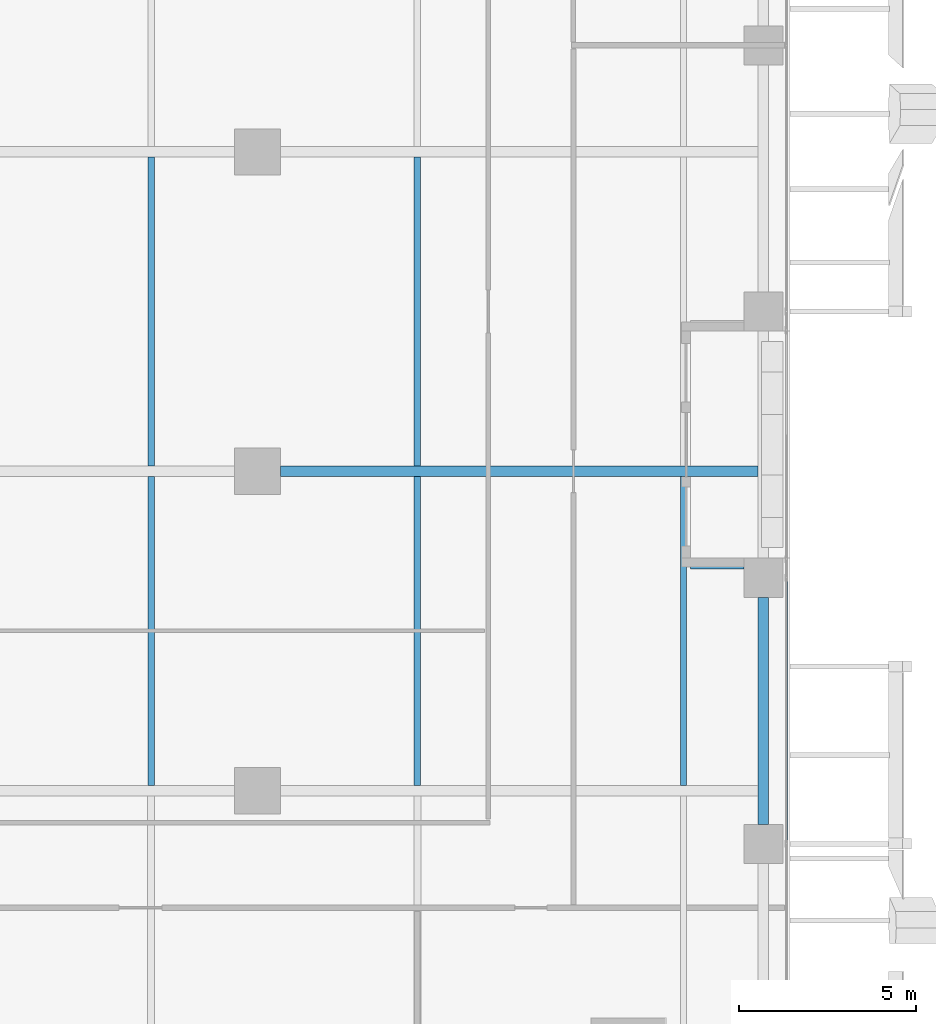
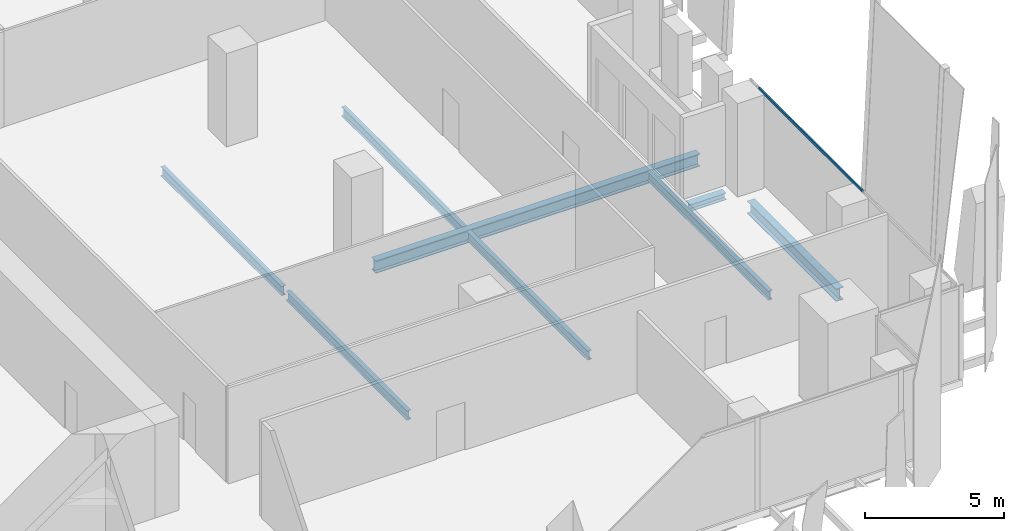
# One storey, part 12 of 36: 8 beams, 1 member, 1 element without a shape of its own.
"""IFC4 building model written with IfcOpenShell, lengths in metres."""

from ifc_helpers import new_model, si_unit, direction, frame, origin, origin_2d, place, context, subcontext, project, spatial, hollow_rectangle, i_section, extrude, source, transform, mapped, material, material_profile, profile_set, type_object, element, aggregate, save


model = new_model("IFC4")

# Units and contexts
model_context = context("Model", 3, precision=1e-05, world=origin(), true_north=direction((0.0, 1.0)))
body_context = subcontext(model_context, "Body", "Model", "MODEL_VIEW")
ifc_project = project(units=[si_unit("LENGTHUNIT", "METRE"), si_unit("AREAUNIT", "SQUARE_METRE"), si_unit("VOLUMEUNIT", "CUBIC_METRE"), si_unit("PLANEANGLEUNIT", "RADIAN"), si_unit("MASSUNIT", "GRAM", prefix="KILO")], contexts=[model_context])

# Site, building, storey
site_placement = place(None, origin())
site = spatial("IfcSite", under=ifc_project, at=site_placement, CompositionType="ELEMENT")
building_placement = place(site_placement, origin())
building = spatial("IfcBuilding", under=site, at=building_placement, Name="Khomas Fold Tower", CompositionType="ELEMENT")
storey_placement = place(building_placement, frame((0.0, 0.0, 141.10009765625)))
storey = spatial("IfcBuildingStorey", under=building, at=storey_placement, Name="L30", CompositionType="ELEMENT", Elevation=141.10009765625)

# Beams
ifc_material_1 = material(Name="Steel S355", Category="steel")
ifc_material_profile_1 = material_profile(ifc_material_1, i_section(OverallWidth=0.179931640625, OverallDepth=0.39990234375, WebThickness=0.008544921875, FlangeThickness=0.013427734375, at=origin_2d()), Name="IPE 400")
ifc_profile_set_1 = profile_set([ifc_material_profile_1], Name="Steel S355")
beam_type_1 = type_object("IfcBeamType", Name="IPE 400 beam JB3", PredefinedType="BEAM", material=ifc_profile_set_1)
shared_shape_1 = source(origin(), body_context, "Body", "SweptSolid", [
    extrude(i_section(OverallWidth=0.179931640625, OverallDepth=0.39990234375, WebThickness=0.008544921875, FlangeThickness=0.013427734375, at=origin_2d()), origin(), (0.0, 0.0, 1.0), 8.7001953125),
])
for number, where, z_axis, x_axis, name in (
    (1, (34.5, 13.64990234375, -0.5), (0.0, 1.0, 0.0), (-1.0, 0.0, 0.0), "JB3"),
    (2, (34.5, 22.64990234375, -0.5), (0.0, 1.0, 0.0), (-1.0, 0.0, 0.0), "JB3"),
    (3, (42.0, 13.64990234375, -0.5), (0.0, 1.0, 0.0), (-1.0, 0.0, 0.0), "JB3"),
    (4, (42.0, 22.64990234375, -0.5), (0.0, 1.0, 0.0), (-1.0, 0.0, 0.0), "JB3"),
    (5, (49.5, 13.64990234375, -0.5), (0.0, 1.0, 0.0), (-1.0, 0.0, 0.0), "JB3"),
):
    element("IfcBeam", number, at=place(storey_placement, frame(where, z_axis=z_axis, x_axis=x_axis)), inside=storey, type_object=beam_type_1, Name=name, PredefinedType="BEAM", context=body_context, shape_type="MappedRepresentation", body=[
        mapped(shared_shape_1, transform((0.0, 0.0, 0.0))),
    ])
ifc_material_2 = material(Name="Steel S355", Category="steel")
ifc_material_profile_2 = material_profile(ifc_material_2, i_section(OverallWidth=0.300048828125, OverallDepth=0.550048828125, WebThickness=0.014892578125, FlangeThickness=0.029052734375, at=origin_2d()), Name="HE 550 B")
ifc_profile_set_2 = profile_set([ifc_material_profile_2], Name="Steel S355")
beam_type_2 = type_object("IfcBeamType", Name="HE 550 B spandrel SB2", PredefinedType="SPANDREL", material=ifc_profile_set_2)
shared_shape_2 = source(origin(), body_context, "Body", "SweptSolid", [
    extrude(i_section(OverallWidth=0.300048828125, OverallDepth=0.550048828125, WebThickness=0.014892578125, FlangeThickness=0.029052734375, at=origin_2d()), origin(), (0.0, 0.0, 1.0), 6.39990234375),
])
beam_1_placement = place(storey_placement, frame((51.75, 12.550048828125, -0.5751953125), z_axis=(0.0, 1.0, 0.0), x_axis=(-1.0, 0.0, 0.0)))
element("IfcBeam", 6, at=beam_1_placement, inside=storey, type_object=beam_type_2, Name="SB2", PredefinedType="SPANDREL", context=body_context, shape_type="MappedRepresentation", body=[
    mapped(shared_shape_2, transform((0.0, 0.0, 0.0))),
])
ifc_material_3 = material(Name="Steel S355", Category="steel")
ifc_material_profile_3 = material_profile(ifc_material_3, i_section(OverallWidth=0.300048828125, OverallDepth=0.550048828125, WebThickness=0.014892578125, FlangeThickness=0.029052734375, at=origin_2d()), Name="HE 550 B")
ifc_profile_set_3 = profile_set([ifc_material_profile_3], Name="Steel S355")
beam_type_3 = type_object("IfcBeamType", Name="HE 550 B beam GB4", PredefinedType="BEAM", material=ifc_profile_set_3)
shared_shape_3 = source(origin(), body_context, "Body", "SweptSolid", [
    extrude(i_section(OverallWidth=0.300048828125, OverallDepth=0.550048828125, WebThickness=0.014892578125, FlangeThickness=0.029052734375, at=origin_2d()), origin(), (0.0, 0.0, 1.0), 13.4501953125),
])
beam_2_placement = place(storey_placement, frame((38.14990234375, 22.5, -0.5751953125), z_axis=(1.0, 0.0, 0.0), x_axis=(0.0, 1.0, 0.0)))
element("IfcBeam", 7, at=beam_2_placement, inside=storey, type_object=beam_type_3, Name="GB4", PredefinedType="BEAM", context=body_context, shape_type="MappedRepresentation", body=[
    mapped(shared_shape_3, transform((0.0, 0.0, 0.0))),
])
ifc_material_4 = material(Name="Steel S355", Category="steel")
ifc_material_profile_4 = material_profile(ifc_material_4, i_section(OverallWidth=0.300048828125, OverallDepth=0.300048828125, WebThickness=0.010986328125, FlangeThickness=0.01904296875, at=origin_2d()), Name="HE 300 B")
ifc_profile_set_4 = profile_set([ifc_material_profile_4], Name="Steel S355")
beam_type_4 = type_object("IfcBeamType", Name="HE 300 B beam BB1", PredefinedType="BEAM", material=ifc_profile_set_4)
shared_shape_4 = source(origin(), body_context, "Body", "SweptSolid", [
    extrude(i_section(OverallWidth=0.300048828125, OverallDepth=0.300048828125, WebThickness=0.010986328125, FlangeThickness=0.01904296875, at=origin_2d()), origin(), (0.0, 0.0, 1.0), 1.5),
])
beam_3_placement = place(storey_placement, frame((49.699951171875, 19.89990234375, -0.4501953125), z_axis=(1.0, 0.0, 0.0), x_axis=(0.0, 1.0, 0.0)))
element("IfcBeam", 8, at=beam_3_placement, inside=storey, type_object=beam_type_4, Name="BB1", PredefinedType="BEAM", context=body_context, shape_type="MappedRepresentation", body=[
    mapped(shared_shape_4, transform((0.0, 0.0, 0.0))),
])

# Curtain wall, member
ifc_material_5 = material(Name="Aluminium framed double glazing", Category="aluminium")
curtain_wall_type = type_object("IfcCurtainWallType", Name="SK-Unitised clear-glass wall, growing floors CW1", PredefinedType="NOTDEFINED", material=ifc_material_5)
curtain_wall_placement = place(storey_placement, origin())
curtain_wall = element("IfcCurtainWall", 9, at=curtain_wall_placement, inside=storey, type_object=curtain_wall_type, Name="CW1 run L30 03-0", PredefinedType="NOTDEFINED")
ifc_material_6 = material(Name="Aluminium", Category="aluminium")
ifc_material_profile_5 = material_profile(ifc_material_6, hollow_rectangle(XDim=0.06005859375, YDim=0.1201171875, WallThickness=0.00390625, at=origin_2d()), Name="SK-Unitised clear-glass wall, growing floors transom CW1-T")
ifc_profile_set_5 = profile_set([ifc_material_profile_5], Name="Aluminium")
member_type = type_object("IfcMemberType", Name="SK-Unitised clear-glass wall, growing floors transom CW1-T", PredefinedType="USERDEFINED", material=ifc_profile_set_5)
shared_shape_5 = source(origin(), body_context, "Body", "SweptSolid", [
    extrude(hollow_rectangle(XDim=0.06005859375, YDim=0.1201171875, WallThickness=0.00390625, at=origin_2d()), origin(), (0.0, 0.0, 1.0), 7.43994140625),
])
member_placement = place(storey_placement, frame((52.39990234375, 12.030029296875, 4.039794921875), z_axis=(0.0, 1.0, 0.0), x_axis=(-1.0, 0.0, 0.0)))
member = element("IfcMember", 10, at=member_placement, type_object=member_type, Name="CW1 transom 3", ObjectType="TRANSOM", PredefinedType="USERDEFINED", context=body_context, shape_type="MappedRepresentation", body=[
    mapped(shared_shape_5, transform((0.0, 0.0, 0.0))),
])
aggregate(curtain_wall, [member])

save(model, "model.ifc")
